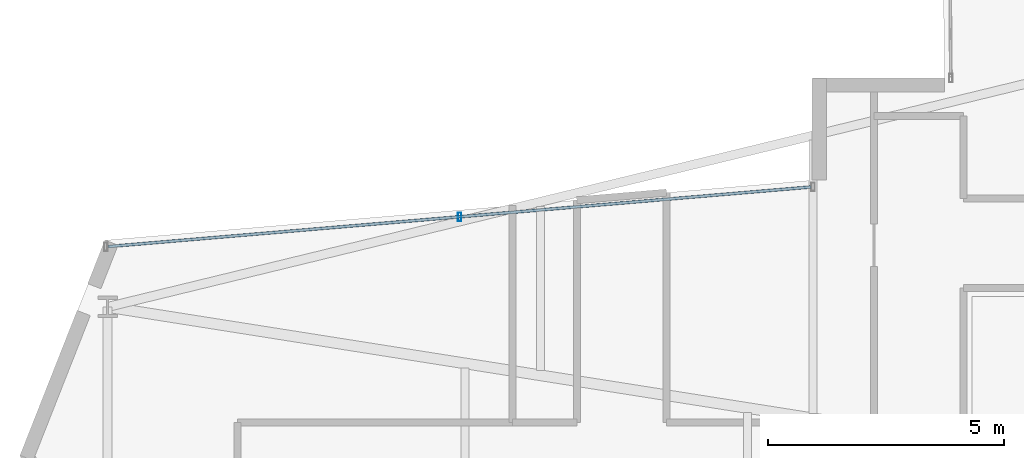
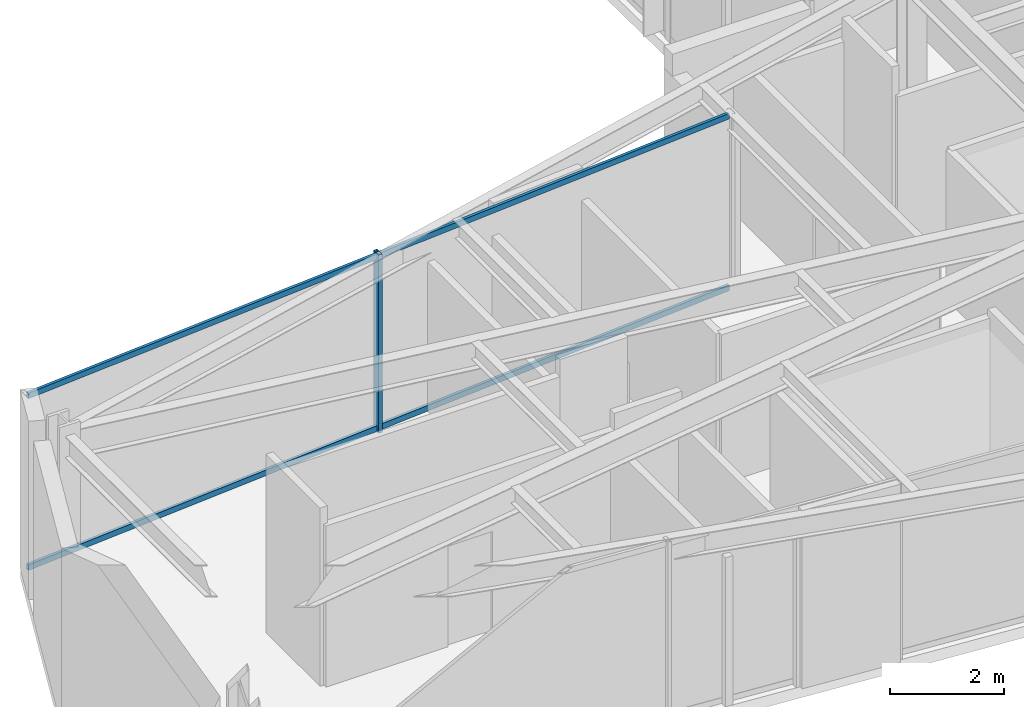
# One storey, part 8 of 25: 3 members, 1 element without a shape of its own.
"""IFC4 building model written with IfcOpenShell, lengths in metres."""

from ifc_helpers import new_model, si_unit, direction, frame, origin, origin_2d, place, context, subcontext, project, spatial, hollow_rectangle, extrude, material, layer, layer_set, material_profile, profile_set, type_object, element, aggregate, save


model = new_model("IFC4")

# Units and contexts
model_context = context("Model", 3, precision=1e-05, world=origin(), true_north=direction((0.0, 1.0)))
body_context = subcontext(model_context, "Body", "Model", "MODEL_VIEW")
ifc_project = project(units=[si_unit("LENGTHUNIT", "METRE"), si_unit("AREAUNIT", "SQUARE_METRE"), si_unit("VOLUMEUNIT", "CUBIC_METRE"), si_unit("PLANEANGLEUNIT", "RADIAN"), si_unit("MASSUNIT", "GRAM", prefix="KILO")], contexts=[model_context])

# Site, building, storey
site_placement = place(None, origin())
site = spatial("IfcSite", under=ifc_project, at=site_placement, CompositionType="ELEMENT")
building_placement = place(site_placement, origin())
building = spatial("IfcBuilding", under=site, at=building_placement, Name="Veymaron Broadcast Tower", CompositionType="ELEMENT")
storey_placement = place(building_placement, frame((0.0, 0.0, 145.199951171875)))
storey = spatial("IfcBuildingStorey", under=building, at=storey_placement, Name="L33", CompositionType="ELEMENT", Elevation=145.199951171875)

# Curtain wall, members
ifc_material_1 = material(Name="Anodised aluminium AA 6063-T6 and laminated low-E dark glass", Category="aluminium")
ifc_layer = layer(ifc_material_1, 0.179931640625)
ifc_layer_set = layer_set([ifc_layer], Name="Anodised aluminium AA 6063-T6 and laminated low-E dark glass")
curtain_wall_type = type_object("IfcCurtainWallType", Name="CW-SYS-03", PredefinedType="NOTDEFINED", material=ifc_layer_set)
curtain_wall_placement = place(storey_placement, origin())
curtain_wall = element("IfcCurtainWall", 1, at=curtain_wall_placement, inside=storey, type_object=curtain_wall_type, Name="L33 dark-glass curtain wall CW-L33-E11-1", PredefinedType="NOTDEFINED")
ifc_material_2 = material(Name="Anodised aluminium AA 6063-T6", Category="aluminium")
ifc_material_profile_1 = material_profile(ifc_material_2, hollow_rectangle(XDim=0.074951171875, YDim=0.179931640625, WallThickness=0.0048828125, at=origin_2d()), Name="AL180X75X5")
ifc_profile_set_1 = profile_set([ifc_material_profile_1], Name="Anodised aluminium AA 6063-T6")
member_type_1 = type_object("IfcMemberType", Name="CW-MUL-02", PredefinedType="MULLION", material=ifc_profile_set_1)
member_1_placement = place(storey_placement, frame((18.7119140625, 29.062255859375, 0.0), z_axis=(0.0, 0.0, 1.0), x_axis=(1.0, 0.0, 0.0)))
member_1 = element("IfcMember", 2, at=member_1_placement, type_object=member_type_1, Name="CW-L33-E11-1 mullion 1", PredefinedType="MULLION", context=body_context, shape_type="SweptSolid", body=[
    extrude(hollow_rectangle(XDim=0.074951171875, YDim=0.179931640625, WallThickness=0.0048828125, at=origin_2d()), origin(), (0.0, 0.0, 1.0), 3.81005859375),
])
ifc_material_profile_2 = material_profile(ifc_material_2, hollow_rectangle(XDim=0.06005859375, YDim=0.1201171875, WallThickness=0.00390625, at=origin_2d()), Name="AL120X60X4")
ifc_profile_set_2 = profile_set([ifc_material_profile_2], Name="Anodised aluminium AA 6063-T6")
member_type_2 = type_object("IfcMemberType", Name="CW-TRN-02", PredefinedType="USERDEFINED", material=ifc_profile_set_2)
member_2_placement = place(storey_placement, frame((26.162109375, 29.694091796875, 0.070068359375), z_axis=(-0.99642308754, -0.084504618907, 0.0), x_axis=(0.084504618907, -0.99642308754, 0.0)))
member_2 = element("IfcMember", 3, at=member_2_placement, type_object=member_type_2, Name="CW-L33-E11-1 transom B", ObjectType="TRANSOM", PredefinedType="USERDEFINED", context=body_context, shape_type="SweptSolid", body=[
    extrude(hollow_rectangle(XDim=0.06005859375, YDim=0.1201171875, WallThickness=0.00390625, at=origin_2d()), origin(), (0.0, 0.0, 1.0), 14.953857421875),
])
member_3_placement = place(storey_placement, frame((26.162109375, 29.694091796875, 3.739990234375), z_axis=(-0.99642308754, -0.084504618907, 0.0), x_axis=(0.084504618907, -0.99642308754, 0.0)))
member_3 = element("IfcMember", 4, at=member_3_placement, type_object=member_type_2, Name="CW-L33-E11-1 transom T", ObjectType="TRANSOM", PredefinedType="USERDEFINED", context=body_context, shape_type="SweptSolid", body=[
    extrude(hollow_rectangle(XDim=0.06005859375, YDim=0.1201171875, WallThickness=0.00390625, at=origin_2d()), origin(), (0.0, 0.0, 1.0), 14.953857421875),
])
aggregate(curtain_wall, [member_1, member_2, member_3])

save(model, "model.ifc")
